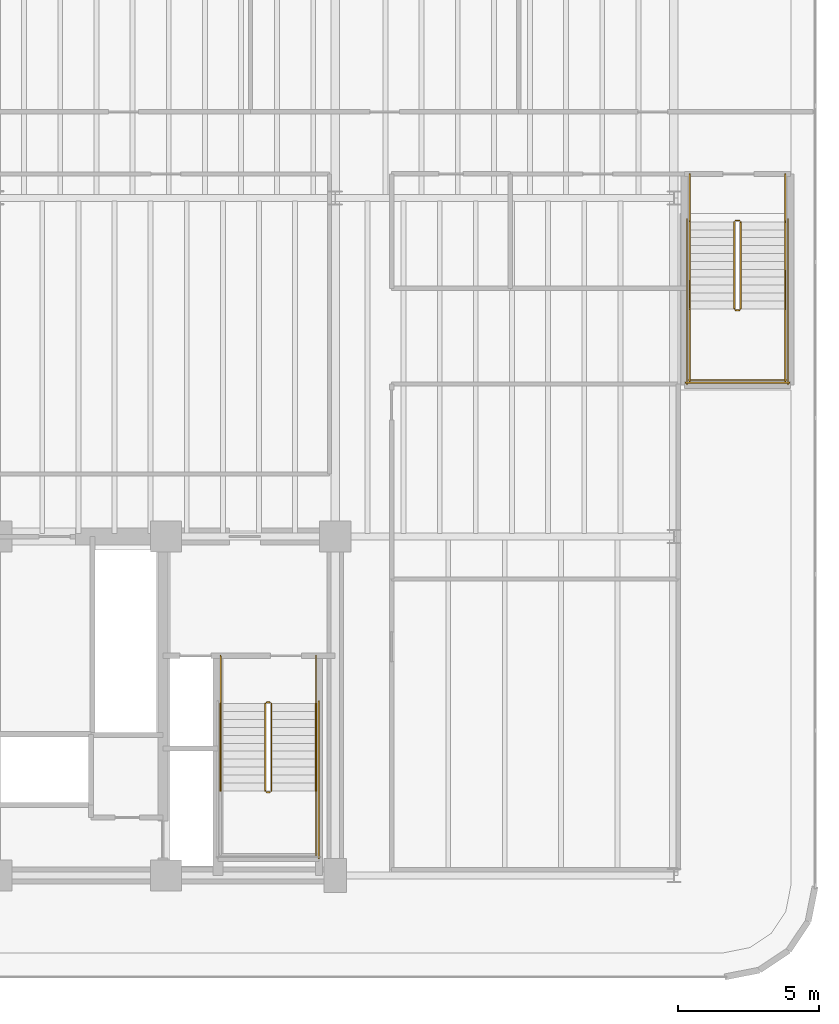
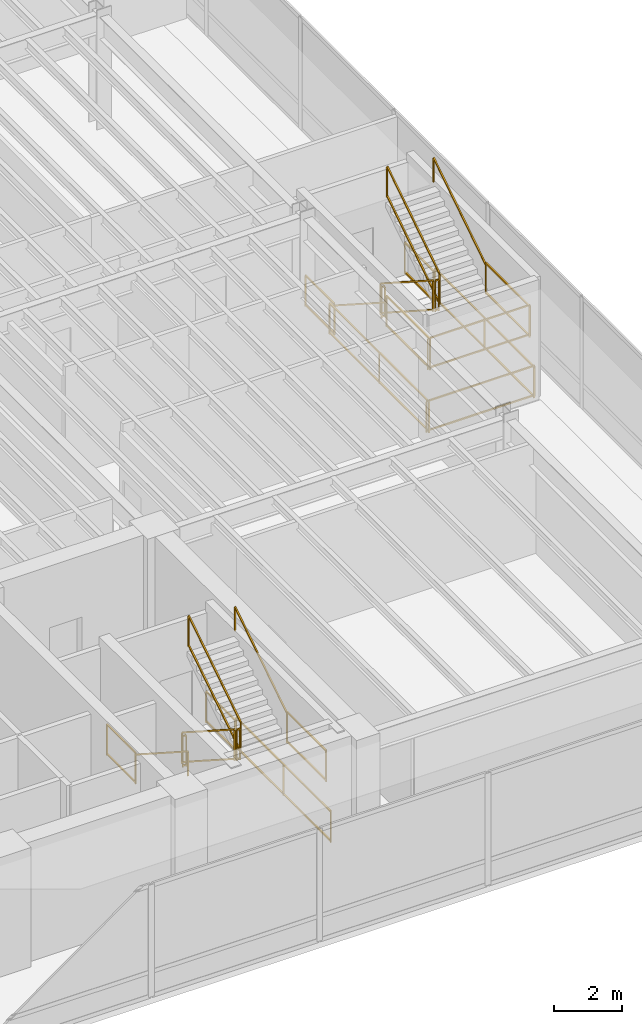
# One storey, part 18 of 18: 24 railings.
"""IFC4 building model written with IfcOpenShell, lengths in metres."""

from ifc_helpers import new_model, si_unit, direction, frame, origin, origin_2d, place, context, subcontext, project, spatial, rectangle, extrude, material, layer, layer_set, type_object, element, save


model = new_model("IFC4")

# Units and contexts
model_context = context("Model", 3, precision=1e-05, world=origin(), true_north=direction((0.0, 1.0)))
body_context = subcontext(model_context, "Body", "Model", "MODEL_VIEW")
ifc_project = project(units=[si_unit("LENGTHUNIT", "METRE"), si_unit("AREAUNIT", "SQUARE_METRE"), si_unit("VOLUMEUNIT", "CUBIC_METRE"), si_unit("PLANEANGLEUNIT", "RADIAN"), si_unit("MASSUNIT", "GRAM", prefix="KILO")], contexts=[model_context])

# Site, building, storey
site_placement = place(None, origin())
site = spatial("IfcSite", under=ifc_project, at=site_placement, CompositionType="ELEMENT")
building_placement = place(site_placement, origin())
building = spatial("IfcBuilding", under=site, at=building_placement, Name="Brelvock Crest Care Tower", CompositionType="ELEMENT")
storey_placement = place(building_placement, frame((0.0, 0.0, 9.719970703125)))
storey = spatial("IfcBuildingStorey", under=building, at=storey_placement, Name="L02", CompositionType="ELEMENT", Elevation=9.719970703125)

# Railings
ifc_material = material(Name="Steel Grade 350", Category="steel")
ifc_layer_1 = layer(ifc_material, 0.050048828125, Name="RL-STG1")
ifc_layer_set_1 = layer_set([ifc_layer_1], Name="Steel Grade 350")
railing_type_1 = type_object("IfcRailingType", Name="RL-STG1", PredefinedType="GUARDRAIL", material=ifc_layer_set_1)
railing_1_placement = place(storey_placement, frame((45.52001953125, 12.080078125, 0.179931640625)))
element("IfcRailing", 1, at=railing_1_placement, inside=storey, type_object=railing_type_1, Name="L02 ST-2 stair guard 1", PredefinedType="GUARDRAIL", context=body_context, shape_type="SweptSolid", body=[
    extrude(rectangle(XDim=0.048095703125, YDim=0.048095703125, at=origin_2d()), frame((0.0, -0.001708984375, 1.116943359375), z_axis=(0.0, -0.84118714077, 0.540744111576), x_axis=(1.0, 0.0, 0.0)), (0.0, 0.0, 1.0), 3.657470703125),
    extrude(rectangle(XDim=0.048095703125, YDim=0.048095703125, at=origin_2d()), frame((0.0, -0.001708984375, 0.05615234375), z_axis=(0.0, -0.84118714077, 0.540744111576), x_axis=(1.0, 0.0, 0.0)), (0.0, 0.0, 1.0), 3.657470703125),
    extrude(rectangle(XDim=0.0419921875, YDim=0.0419921875, at=origin_2d()), origin(), (0.0, 0.0, 1.0), 1.08984375),
    extrude(rectangle(XDim=0.0419921875, YDim=0.0419921875, at=origin_2d()), frame((0.0, -3.080078125, 1.97998046875)), (0.0, 0.0, 1.0), 1.08984375),
])
railing_2_placement = place(storey_placement, frame((45.570068359375, 8.949951171875, 2.159912109375)))
element("IfcRailing", 2, at=railing_2_placement, inside=storey, type_object=railing_type_1, Name="L02 ST-2 stair guard 2", PredefinedType="GUARDRAIL", context=body_context, shape_type="SweptSolid", body=[
    extrude(rectangle(XDim=0.048095703125, YDim=0.048095703125, at=origin_2d()), frame((0.001953125, 0.0, 1.11572265625), z_axis=(1.0, 0.0, 0.0), x_axis=(0.0, 1.0, 0.0)), (0.0, 0.0, 1.0), 0.115966796875),
    extrude(rectangle(XDim=0.048095703125, YDim=0.048095703125, at=origin_2d()), frame((0.001953125, 0.0, 0.054931640625), z_axis=(1.0, 0.0, 0.0), x_axis=(0.0, 1.0, 0.0)), (0.0, 0.0, 1.0), 0.115966796875),
    extrude(rectangle(XDim=0.0419921875, YDim=0.0419921875, at=origin_2d()), origin(), (0.0, 0.0, 1.0), 1.08984375),
    extrude(rectangle(XDim=0.0419921875, YDim=0.0419921875, at=origin_2d()), frame((0.119873046875, 0.0, 0.0)), (0.0, 0.0, 1.0), 1.08984375),
])
railing_3_placement = place(storey_placement, frame((47.320068359375, 9.0, 2.159912109375)))
element("IfcRailing", 3, at=railing_3_placement, inside=storey, type_object=railing_type_1, Name="L02 ST-2 stair guard 4", PredefinedType="GUARDRAIL", context=body_context, shape_type="SweptSolid", body=[
    extrude(rectangle(XDim=0.048095703125, YDim=0.048095703125, at=origin_2d()), frame((0.0, -0.001953125, 1.11572265625), z_axis=(0.0, -1.0, 0.0), x_axis=(1.0, 0.0, 0.0)), (0.0, 0.0, 1.0), 2.296142578125),
    extrude(rectangle(XDim=0.048095703125, YDim=0.048095703125, at=origin_2d()), frame((0.0, -0.001953125, 0.054931640625), z_axis=(0.0, -1.0, 0.0), x_axis=(1.0, 0.0, 0.0)), (0.0, 0.0, 1.0), 2.296142578125),
    extrude(rectangle(XDim=0.0419921875, YDim=0.0419921875, at=origin_2d()), origin(), (0.0, 0.0, 1.0), 1.08984375),
    extrude(rectangle(XDim=0.0419921875, YDim=0.0419921875, at=origin_2d()), frame((0.0, -2.300048828125, 0.0)), (0.0, 0.0, 1.0), 1.08984375),
])
railing_4_placement = place(storey_placement, frame((45.739990234375, 9.0, 2.340087890625)))
element("IfcRailing", 4, at=railing_4_placement, inside=storey, type_object=railing_type_1, Name="L02 ST-2 stair guard 6", PredefinedType="GUARDRAIL", context=body_context, shape_type="SweptSolid", body=[
    extrude(rectangle(XDim=0.048095703125, YDim=0.048095703125, at=origin_2d()), frame((0.0, 0.001708984375, 1.116943359375), z_axis=(0.0, 0.84118714077, 0.540744111576), x_axis=(-1.0, 0.0, 0.0)), (0.0, 0.0, 1.0), 3.657470703125),
    extrude(rectangle(XDim=0.048095703125, YDim=0.048095703125, at=origin_2d()), frame((0.0, 0.001708984375, 0.05615234375), z_axis=(0.0, 0.84118714077, 0.540744111576), x_axis=(-1.0, 0.0, 0.0)), (0.0, 0.0, 1.0), 3.657470703125),
    extrude(rectangle(XDim=0.0419921875, YDim=0.0419921875, at=origin_2d()), origin(), (0.0, 0.0, 1.0), 1.08984375),
    extrude(rectangle(XDim=0.0419921875, YDim=0.0419921875, at=origin_2d()), frame((0.0, 3.080078125, 1.97998046875)), (0.0, 0.0, 1.0), 1.08984375),
])
railing_5_placement = place(storey_placement, frame((45.570068359375, 12.1298828125, 0.0)))
element("IfcRailing", 5, at=railing_5_placement, inside=storey, type_object=railing_type_1, Name="L02 ST-2 stair guard 7", PredefinedType="GUARDRAIL", context=body_context, shape_type="SweptSolid", body=[
    extrude(rectangle(XDim=0.048095703125, YDim=0.048095703125, at=origin_2d()), frame((0.001953125, 0.0, 1.11572265625), z_axis=(1.0, 0.0, 0.0), x_axis=(0.0, 1.0, 0.0)), (0.0, 0.0, 1.0), 0.115966796875),
    extrude(rectangle(XDim=0.048095703125, YDim=0.048095703125, at=origin_2d()), frame((0.001953125, 0.0, 0.054931640625), z_axis=(1.0, 0.0, 0.0), x_axis=(0.0, 1.0, 0.0)), (0.0, 0.0, 1.0), 0.115966796875),
    extrude(rectangle(XDim=0.0419921875, YDim=0.0419921875, at=origin_2d()), origin(), (0.0, 0.0, 1.0), 1.08984375),
    extrude(rectangle(XDim=0.0419921875, YDim=0.0419921875, at=origin_2d()), frame((0.119873046875, 0.0, 0.0)), (0.0, 0.0, 1.0), 1.08984375),
])
for number, where, name in (
    (6, (43.93994140625, 13.780029296875, 0.0), "L02 ST-2 stair guard 8"),
    (7, (47.320068359375, 13.780029296875, 0.0), "L02 ST-2 stair guard 9"),
):
    element("IfcRailing", number, at=place(storey_placement, frame(where)), inside=storey, type_object=railing_type_1, Name=name, PredefinedType="GUARDRAIL", context=body_context, shape_type="SweptSolid", body=[
        extrude(rectangle(XDim=0.048095703125, YDim=0.048095703125, at=origin_2d()), frame((0.0, -0.001953125, 1.11572265625), z_axis=(0.0, -1.0, 0.0), x_axis=(1.0, 0.0, 0.0)), (0.0, 0.0, 1.0), 1.696044921875),
        extrude(rectangle(XDim=0.048095703125, YDim=0.048095703125, at=origin_2d()), frame((0.0, -0.001953125, 0.054931640625), z_axis=(0.0, -1.0, 0.0), x_axis=(1.0, 0.0, 0.0)), (0.0, 0.0, 1.0), 1.696044921875),
        extrude(rectangle(XDim=0.0419921875, YDim=0.0419921875, at=origin_2d()), origin(), (0.0, 0.0, 1.0), 1.08984375),
        extrude(rectangle(XDim=0.0419921875, YDim=0.0419921875, at=origin_2d()), frame((0.0, -1.699951171875, 0.0)), (0.0, 0.0, 1.0), 1.08984375),
    ])
railing_6_placement = place(storey_placement, frame((47.419921875, 12.179931640625, 0.0)))
element("IfcRailing", 8, at=railing_6_placement, inside=storey, type_object=railing_type_1, Name="L02 ST-2 stair guard 11", PredefinedType="GUARDRAIL", context=body_context, shape_type="SweptSolid", body=[
    extrude(rectangle(XDim=0.048095703125, YDim=0.048095703125, at=origin_2d()), frame((0.0, -0.001953125, 1.11572265625), z_axis=(0.0, -1.0, 0.0), x_axis=(1.0, 0.0, 0.0)), (0.0, 0.0, 1.0), 5.575927734375),
    extrude(rectangle(XDim=0.048095703125, YDim=0.048095703125, at=origin_2d()), frame((0.0, -0.001953125, 0.054931640625), z_axis=(0.0, -1.0, 0.0), x_axis=(1.0, 0.0, 0.0)), (0.0, 0.0, 1.0), 5.575927734375),
    extrude(rectangle(XDim=0.0419921875, YDim=0.0419921875, at=origin_2d()), origin(), (0.0, 0.0, 1.0), 1.08984375),
    extrude(rectangle(XDim=0.0419921875, YDim=0.0419921875, at=origin_2d()), frame((0.0, -2.7900390625, 0.0)), (0.0, 0.0, 1.0), 1.08984375),
    extrude(rectangle(XDim=0.0419921875, YDim=0.0419921875, at=origin_2d()), frame((0.0, -5.579833984375, 0.0)), (0.0, 0.0, 1.0), 1.08984375),
])
railing_7_placement = place(storey_placement, frame((62.139892578125, 29.14990234375, 0.179931640625)))
element("IfcRailing", 9, at=railing_7_placement, inside=storey, type_object=railing_type_1, Name="L02 ST-4 stair guard 1", PredefinedType="GUARDRAIL", context=body_context, shape_type="SweptSolid", body=[
    extrude(rectangle(XDim=0.048095703125, YDim=0.048095703125, at=origin_2d()), frame((0.0, -0.001708984375, 1.116943359375), z_axis=(0.0, -0.841167642724, 0.540774441735), x_axis=(1.0, 0.0, 0.0)), (0.0, 0.0, 1.0), 3.657470703125),
    extrude(rectangle(XDim=0.048095703125, YDim=0.048095703125, at=origin_2d()), frame((0.0, -0.001708984375, 0.05615234375), z_axis=(0.0, -0.841167642724, 0.540774441735), x_axis=(1.0, 0.0, 0.0)), (0.0, 0.0, 1.0), 3.657470703125),
    extrude(rectangle(XDim=0.0419921875, YDim=0.0419921875, at=origin_2d()), origin(), (0.0, 0.0, 1.0), 1.08984375),
    extrude(rectangle(XDim=0.0419921875, YDim=0.0419921875, at=origin_2d()), frame((0.0, -3.079833984375, 1.97998046875)), (0.0, 0.0, 1.0), 1.08984375),
])
railing_8_placement = place(storey_placement, frame((62.18994140625, 26.02001953125, 2.159912109375)))
element("IfcRailing", 10, at=railing_8_placement, inside=storey, type_object=railing_type_1, Name="L02 ST-4 stair guard 2", PredefinedType="GUARDRAIL", context=body_context, shape_type="SweptSolid", body=[
    extrude(rectangle(XDim=0.048095703125, YDim=0.048095703125, at=origin_2d()), frame((0.001953125, 0.0, 1.11572265625), z_axis=(1.0, 0.0, 0.0), x_axis=(0.0, 1.0, 0.0)), (0.0, 0.0, 1.0), 0.1162109375),
    extrude(rectangle(XDim=0.048095703125, YDim=0.048095703125, at=origin_2d()), frame((0.001953125, 0.0, 0.054931640625), z_axis=(1.0, 0.0, 0.0), x_axis=(0.0, 1.0, 0.0)), (0.0, 0.0, 1.0), 0.1162109375),
    extrude(rectangle(XDim=0.0419921875, YDim=0.0419921875, at=origin_2d()), origin(), (0.0, 0.0, 1.0), 1.08984375),
    extrude(rectangle(XDim=0.0419921875, YDim=0.0419921875, at=origin_2d()), frame((0.1201171875, 0.0, 0.0)), (0.0, 0.0, 1.0), 1.08984375),
])
for number, where, name in (
    (11, (60.56005859375, 26.070068359375, 2.159912109375), "L02 ST-4 stair guard 3"),
    (12, (63.93994140625, 26.070068359375, 2.159912109375), "L02 ST-4 stair guard 4"),
):
    element("IfcRailing", number, at=place(storey_placement, frame(where)), inside=storey, type_object=railing_type_1, Name=name, PredefinedType="GUARDRAIL", context=body_context, shape_type="SweptSolid", body=[
        extrude(rectangle(XDim=0.048095703125, YDim=0.048095703125, at=origin_2d()), frame((0.0, -0.001953125, 1.11572265625), z_axis=(0.0, -1.0, 0.0), x_axis=(1.0, 0.0, 0.0)), (0.0, 0.0, 1.0), 2.566162109375),
        extrude(rectangle(XDim=0.048095703125, YDim=0.048095703125, at=origin_2d()), frame((0.0, -0.001953125, 0.054931640625), z_axis=(0.0, -1.0, 0.0), x_axis=(1.0, 0.0, 0.0)), (0.0, 0.0, 1.0), 2.566162109375),
        extrude(rectangle(XDim=0.0419921875, YDim=0.0419921875, at=origin_2d()), origin(), (0.0, 0.0, 1.0), 1.08984375),
        extrude(rectangle(XDim=0.0419921875, YDim=0.0419921875, at=origin_2d()), frame((0.0, -2.570068359375, 0.0)), (0.0, 0.0, 1.0), 1.08984375),
    ])
railing_9_placement = place(storey_placement, frame((60.510009765625, 23.550048828125, 2.159912109375)))
element("IfcRailing", 13, at=railing_9_placement, inside=storey, type_object=railing_type_1, Name="L02 ST-4 stair guard 5", PredefinedType="GUARDRAIL", context=body_context, shape_type="SweptSolid", body=[
    extrude(rectangle(XDim=0.048095703125, YDim=0.048095703125, at=origin_2d()), frame((0.001953125, 0.0, 1.11572265625), z_axis=(1.0, 0.0, 0.0), x_axis=(0.0, 1.0, 0.0)), (0.0, 0.0, 1.0), 3.47607421875),
    extrude(rectangle(XDim=0.048095703125, YDim=0.048095703125, at=origin_2d()), frame((0.001953125, 0.0, 0.054931640625), z_axis=(1.0, 0.0, 0.0), x_axis=(0.0, 1.0, 0.0)), (0.0, 0.0, 1.0), 3.47607421875),
    extrude(rectangle(XDim=0.0419921875, YDim=0.0419921875, at=origin_2d()), origin(), (0.0, 0.0, 1.0), 1.08984375),
    extrude(rectangle(XDim=0.0419921875, YDim=0.0419921875, at=origin_2d()), frame((3.47998046875, 0.0, 0.0)), (0.0, 0.0, 1.0), 1.08984375),
])
railing_10_placement = place(storey_placement, frame((62.360107421875, 26.070068359375, 2.340087890625)))
element("IfcRailing", 14, at=railing_10_placement, inside=storey, type_object=railing_type_1, Name="L02 ST-4 stair guard 6", PredefinedType="GUARDRAIL", context=body_context, shape_type="SweptSolid", body=[
    extrude(rectangle(XDim=0.048095703125, YDim=0.048095703125, at=origin_2d()), frame((0.0, 0.001708984375, 1.116943359375), z_axis=(0.0, 0.841167642724, 0.540774441735), x_axis=(-1.0, 0.0, 0.0)), (0.0, 0.0, 1.0), 3.657470703125),
    extrude(rectangle(XDim=0.048095703125, YDim=0.048095703125, at=origin_2d()), frame((0.0, 0.001708984375, 0.05615234375), z_axis=(0.0, 0.841167642724, 0.540774441735), x_axis=(-1.0, 0.0, 0.0)), (0.0, 0.0, 1.0), 3.657470703125),
    extrude(rectangle(XDim=0.0419921875, YDim=0.0419921875, at=origin_2d()), origin(), (0.0, 0.0, 1.0), 1.08984375),
    extrude(rectangle(XDim=0.0419921875, YDim=0.0419921875, at=origin_2d()), frame((0.0, 3.079833984375, 1.97998046875)), (0.0, 0.0, 1.0), 1.08984375),
])
railing_11_placement = place(storey_placement, frame((62.18994140625, 29.199951171875, 0.0)))
element("IfcRailing", 15, at=railing_11_placement, inside=storey, type_object=railing_type_1, Name="L02 ST-4 stair guard 7", PredefinedType="GUARDRAIL", context=body_context, shape_type="SweptSolid", body=[
    extrude(rectangle(XDim=0.048095703125, YDim=0.048095703125, at=origin_2d()), frame((0.001953125, 0.0, 1.11572265625), z_axis=(1.0, 0.0, 0.0), x_axis=(0.0, 1.0, 0.0)), (0.0, 0.0, 1.0), 0.1162109375),
    extrude(rectangle(XDim=0.048095703125, YDim=0.048095703125, at=origin_2d()), frame((0.001953125, 0.0, 0.054931640625), z_axis=(1.0, 0.0, 0.0), x_axis=(0.0, 1.0, 0.0)), (0.0, 0.0, 1.0), 0.1162109375),
    extrude(rectangle(XDim=0.0419921875, YDim=0.0419921875, at=origin_2d()), origin(), (0.0, 0.0, 1.0), 1.08984375),
    extrude(rectangle(XDim=0.0419921875, YDim=0.0419921875, at=origin_2d()), frame((0.1201171875, 0.0, 0.0)), (0.0, 0.0, 1.0), 1.08984375),
])
for number, where, name in (
    (16, (60.56005859375, 30.85009765625, 0.0), "L02 ST-4 stair guard 8"),
    (17, (63.93994140625, 30.85009765625, 0.0), "L02 ST-4 stair guard 9"),
):
    element("IfcRailing", number, at=place(storey_placement, frame(where)), inside=storey, type_object=railing_type_1, Name=name, PredefinedType="GUARDRAIL", context=body_context, shape_type="SweptSolid", body=[
        extrude(rectangle(XDim=0.048095703125, YDim=0.048095703125, at=origin_2d()), frame((0.0, -0.001953125, 1.11572265625), z_axis=(0.0, -1.0, 0.0), x_axis=(1.0, 0.0, 0.0)), (0.0, 0.0, 1.0), 1.6962890625),
        extrude(rectangle(XDim=0.048095703125, YDim=0.048095703125, at=origin_2d()), frame((0.0, -0.001953125, 0.054931640625), z_axis=(0.0, -1.0, 0.0), x_axis=(1.0, 0.0, 0.0)), (0.0, 0.0, 1.0), 1.6962890625),
        extrude(rectangle(XDim=0.0419921875, YDim=0.0419921875, at=origin_2d()), origin(), (0.0, 0.0, 1.0), 1.08984375),
        extrude(rectangle(XDim=0.0419921875, YDim=0.0419921875, at=origin_2d()), frame((0.0, -1.7001953125, 0.0)), (0.0, 0.0, 1.0), 1.08984375),
    ])
for number, where, name in (
    (18, (60.4599609375, 29.25, 0.0), "L02 ST-4 stair guard 10"),
    (19, (64.0400390625, 29.25, 0.0), "L02 ST-4 stair guard 11"),
):
    element("IfcRailing", number, at=place(storey_placement, frame(where)), inside=storey, type_object=railing_type_1, Name=name, PredefinedType="GUARDRAIL", context=body_context, shape_type="SweptSolid", body=[
        extrude(rectangle(XDim=0.048095703125, YDim=0.048095703125, at=origin_2d()), frame((0.0, -0.001953125, 1.11572265625), z_axis=(0.0, -1.0, 0.0), x_axis=(1.0, 0.0, 0.0)), (0.0, 0.0, 1.0), 5.84619140625),
        extrude(rectangle(XDim=0.048095703125, YDim=0.048095703125, at=origin_2d()), frame((0.0, -0.001953125, 0.054931640625), z_axis=(0.0, -1.0, 0.0), x_axis=(1.0, 0.0, 0.0)), (0.0, 0.0, 1.0), 5.84619140625),
        extrude(rectangle(XDim=0.0419921875, YDim=0.0419921875, at=origin_2d()), origin(), (0.0, 0.0, 1.0), 1.08984375),
        extrude(rectangle(XDim=0.0419921875, YDim=0.0419921875, at=origin_2d()), frame((0.0, -2.925048828125, 0.0)), (0.0, 0.0, 1.0), 1.08984375),
        extrude(rectangle(XDim=0.0419921875, YDim=0.0419921875, at=origin_2d()), frame((0.0, -5.85009765625, 0.0)), (0.0, 0.0, 1.0), 1.08984375),
    ])
railing_12_placement = place(storey_placement, frame((60.409912109375, 23.449951171875, 0.0)))
element("IfcRailing", 20, at=railing_12_placement, inside=storey, type_object=railing_type_1, Name="L02 ST-4 stair guard 12", PredefinedType="GUARDRAIL", context=body_context, shape_type="SweptSolid", body=[
    extrude(rectangle(XDim=0.048095703125, YDim=0.048095703125, at=origin_2d()), frame((0.001953125, 0.0, 1.11572265625), z_axis=(1.0, 0.0, 0.0), x_axis=(0.0, 1.0, 0.0)), (0.0, 0.0, 1.0), 3.67626953125),
    extrude(rectangle(XDim=0.048095703125, YDim=0.048095703125, at=origin_2d()), frame((0.001953125, 0.0, 0.054931640625), z_axis=(1.0, 0.0, 0.0), x_axis=(0.0, 1.0, 0.0)), (0.0, 0.0, 1.0), 3.67626953125),
    extrude(rectangle(XDim=0.0419921875, YDim=0.0419921875, at=origin_2d()), origin(), (0.0, 0.0, 1.0), 1.08984375),
    extrude(rectangle(XDim=0.0419921875, YDim=0.0419921875, at=origin_2d()), frame((3.68017578125, 0.0, 0.0)), (0.0, 0.0, 1.0), 1.08984375),
])
ifc_layer_2 = layer(ifc_material, 0.048095703125, Name="RL-STH1")
ifc_layer_set_2 = layer_set([ifc_layer_2], Name="Steel Grade 350")
railing_type_2 = type_object("IfcRailingType", Name="RL-STH1", PredefinedType="HANDRAIL", material=ifc_layer_set_2)
railing_13_placement = place(storey_placement, frame((43.93994140625, 12.080078125, 0.179931640625)))
element("IfcRailing", 21, at=railing_13_placement, inside=storey, type_object=railing_type_2, Name="L02 ST-2 stair handrail 1", PredefinedType="HANDRAIL", context=body_context, shape_type="SweptSolid", body=[
    extrude(rectangle(XDim=0.048095703125, YDim=0.048095703125, at=origin_2d()), frame((0.0, -0.001708984375, 0.876953125), z_axis=(0.0, -0.84118714077, 0.540744111576), x_axis=(1.0, 0.0, 0.0)), (0.0, 0.0, 1.0), 3.657470703125),
    extrude(rectangle(XDim=0.0419921875, YDim=0.0419921875, at=origin_2d()), origin(), (0.0, 0.0, 1.0), 0.849853515625),
    extrude(rectangle(XDim=0.0419921875, YDim=0.0419921875, at=origin_2d()), frame((0.0, -3.080078125, 1.97998046875)), (0.0, 0.0, 1.0), 0.849853515625),
])
railing_14_placement = place(storey_placement, frame((47.320068359375, 9.0, 2.340087890625)))
element("IfcRailing", 22, at=railing_14_placement, inside=storey, type_object=railing_type_2, Name="L02 ST-2 stair handrail 2", PredefinedType="HANDRAIL", context=body_context, shape_type="SweptSolid", body=[
    extrude(rectangle(XDim=0.048095703125, YDim=0.048095703125, at=origin_2d()), frame((0.0, 0.001708984375, 0.876953125), z_axis=(0.0, 0.84118714077, 0.540744111576), x_axis=(-1.0, 0.0, 0.0)), (0.0, 0.0, 1.0), 3.657470703125),
    extrude(rectangle(XDim=0.0419921875, YDim=0.0419921875, at=origin_2d()), origin(), (0.0, 0.0, 1.0), 0.849853515625),
    extrude(rectangle(XDim=0.0419921875, YDim=0.0419921875, at=origin_2d()), frame((0.0, 3.080078125, 1.97998046875)), (0.0, 0.0, 1.0), 0.849853515625),
])
railing_15_placement = place(storey_placement, frame((60.56005859375, 29.14990234375, 0.179931640625)))
element("IfcRailing", 23, at=railing_15_placement, inside=storey, type_object=railing_type_2, Name="L02 ST-4 stair handrail 1", PredefinedType="HANDRAIL", context=body_context, shape_type="SweptSolid", body=[
    extrude(rectangle(XDim=0.048095703125, YDim=0.048095703125, at=origin_2d()), frame((0.0, -0.001708984375, 0.876953125), z_axis=(0.0, -0.841167642724, 0.540774441735), x_axis=(1.0, 0.0, 0.0)), (0.0, 0.0, 1.0), 3.657470703125),
    extrude(rectangle(XDim=0.0419921875, YDim=0.0419921875, at=origin_2d()), origin(), (0.0, 0.0, 1.0), 0.849853515625),
    extrude(rectangle(XDim=0.0419921875, YDim=0.0419921875, at=origin_2d()), frame((0.0, -3.079833984375, 1.97998046875)), (0.0, 0.0, 1.0), 0.849853515625),
])
railing_16_placement = place(storey_placement, frame((63.93994140625, 26.070068359375, 2.340087890625)))
element("IfcRailing", 24, at=railing_16_placement, inside=storey, type_object=railing_type_2, Name="L02 ST-4 stair handrail 2", PredefinedType="HANDRAIL", context=body_context, shape_type="SweptSolid", body=[
    extrude(rectangle(XDim=0.048095703125, YDim=0.048095703125, at=origin_2d()), frame((0.0, 0.001708984375, 0.876953125), z_axis=(0.0, 0.841167642724, 0.540774441735), x_axis=(-1.0, 0.0, 0.0)), (0.0, 0.0, 1.0), 3.657470703125),
    extrude(rectangle(XDim=0.0419921875, YDim=0.0419921875, at=origin_2d()), origin(), (0.0, 0.0, 1.0), 0.849853515625),
    extrude(rectangle(XDim=0.0419921875, YDim=0.0419921875, at=origin_2d()), frame((0.0, 3.079833984375, 1.97998046875)), (0.0, 0.0, 1.0), 0.849853515625),
])

save(model, "model.ifc")
